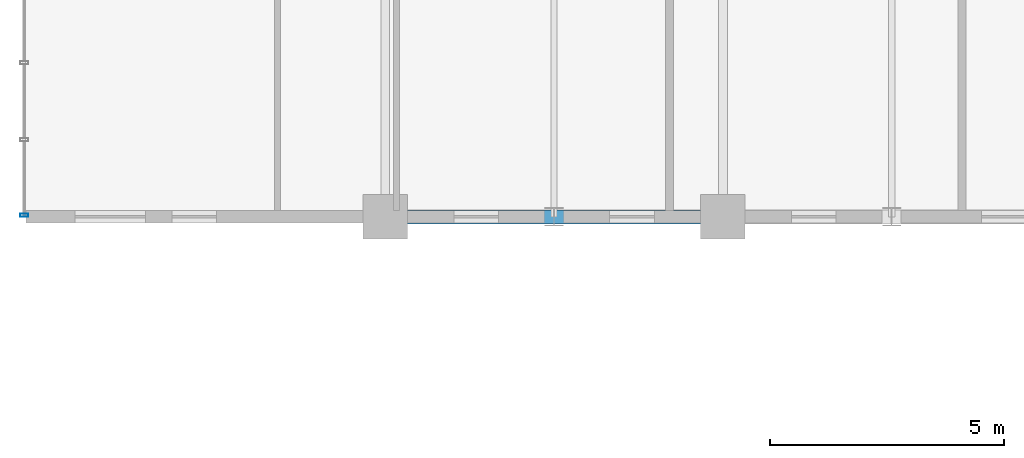
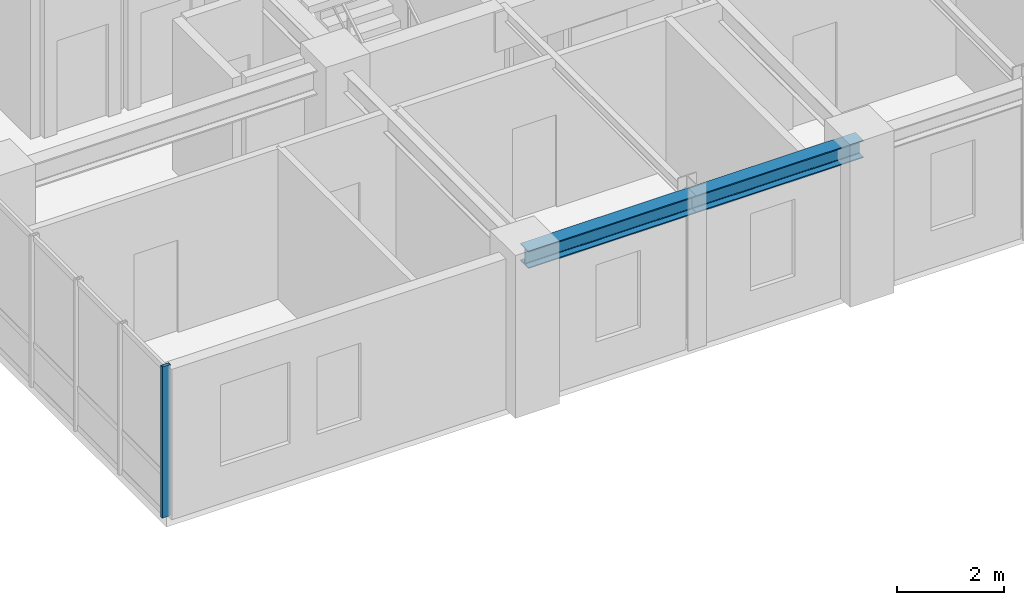
# One storey, part 4 of 20: 2 beams, 1 member, 1 element without a shape of its own.
"""IFC4 building model written with IfcOpenShell, lengths in metres."""

from ifc_helpers import new_model, si_unit, direction, frame, origin, origin_2d, place, context, subcontext, project, spatial, hollow_rectangle, i_section, extrude, source, transform, mapped, material, layer, layer_set, material_profile, profile_set, type_object, element, aggregate, save


model = new_model("IFC4")

# Units and contexts
model_context = context("Model", 3, precision=1e-05, world=origin(), true_north=direction((0.0, 1.0)))
body_context = subcontext(model_context, "Body", "Model", "MODEL_VIEW")
ifc_project = project(units=[si_unit("LENGTHUNIT", "METRE"), si_unit("AREAUNIT", "SQUARE_METRE"), si_unit("VOLUMEUNIT", "CUBIC_METRE"), si_unit("PLANEANGLEUNIT", "RADIAN"), si_unit("MASSUNIT", "GRAM", prefix="KILO")], contexts=[model_context])

# Site, building, storey
site_placement = place(None, origin())
site = spatial("IfcSite", under=ifc_project, at=site_placement, CompositionType="ELEMENT")
building_placement = place(site_placement, origin())
building = spatial("IfcBuilding", under=site, at=building_placement, Name="Kaliganga Portal Commons", CompositionType="ELEMENT")
storey_placement = place(building_placement, frame((0.0, 0.0, 231.39990234375)))
storey = spatial("IfcBuildingStorey", under=building, at=storey_placement, Name="L59", CompositionType="ELEMENT", Elevation=231.39990234375)

# Beams
ifc_material_1 = material(Name="Structural steel S355J2", Category="steel")
ifc_material_profile_1 = material_profile(ifc_material_1, i_section(OverallWidth=0.300048828125, OverallDepth=0.39990234375, WebThickness=0.013427734375, FlangeThickness=0.02392578125, FilletRadius=0.027099609375, at=origin_2d()), Name="HE 400 B")
ifc_profile_set_1 = profile_set([ifc_material_profile_1], Name="Structural steel S355J2 wide-flange")
beam_type = type_object("IfcBeamType", Name="BM-SPAND-400", PredefinedType="SPANDREL", material=ifc_profile_set_1)
shared_shape_1 = source(origin(), body_context, "Body", "SweptSolid", [
    extrude(i_section(OverallWidth=0.300048828125, OverallDepth=0.39990234375, WebThickness=0.013427734375, FlangeThickness=0.02392578125, FilletRadius=0.027099609375, at=origin_2d()), origin(), (0.0, 0.0, 1.0), 3.60009765625),
])
for number, where, z_axis, x_axis, name in (
    (1, (14.39990234375, 21.60009765625, 3.239990234375), (1.0, 0.0, 0.0), (0.0, 1.0, 0.0), "BM SP L59 AS 1"),
    (2, (18.0, 21.60009765625, 3.239990234375), (1.0, 0.0, 0.0), (0.0, 1.0, 0.0), "BM SP L59 AS 2"),
):
    element("IfcBeam", number, at=place(storey_placement, frame(where, z_axis=z_axis, x_axis=x_axis)), inside=storey, type_object=beam_type, Name=name, PredefinedType="SPANDREL", context=body_context, shape_type="MappedRepresentation", body=[
        mapped(shared_shape_1, transform((0.0, 0.0, 0.0), x_axis=(1.0, 0.0, 0.0), y_axis=(0.0, 1.0, 0.0), z_axis=(0.0, 0.0, 1.0), scale=1.0)),
    ])

# Curtain wall, member
ifc_material_2 = material(Name="Anodized Aluminium and Laminated Low-E Glass", Category="aluminium")
ifc_layer = layer(ifc_material_2, 0.199951171875)
ifc_layer_set = layer_set([ifc_layer], Name="Anodized Aluminium and Laminated Low-E Glass")
curtain_wall_type = type_object("IfcCurtainWallType", Name="CW-SYS-02", PredefinedType="NOTDEFINED", material=ifc_layer_set)
curtain_wall_placement = place(storey_placement, origin())
curtain_wall = element("IfcCurtainWall", 3, at=curtain_wall_placement, inside=storey, type_object=curtain_wall_type, Name="CW 02 L59 P1E09S3", PredefinedType="NOTDEFINED")
ifc_material_3 = material(Name="Dark Bronze Anodized Aluminium", Category="aluminium")
ifc_material_profile_2 = material_profile(ifc_material_3, hollow_rectangle(XDim=0.06494140625, YDim=0.179931640625, WallThickness=0.00390625, at=origin_2d()), Name="ALU MULL 65x180x4")
ifc_profile_set_2 = profile_set([ifc_material_profile_2], Name="Dark Bronze Anodized Aluminium")
member_type = type_object("IfcMemberType", Name="CW-MUL-180", PredefinedType="MULLION", material=ifc_profile_set_2)
shared_shape_2 = source(origin(), body_context, "Body", "SweptSolid", [
    extrude(hollow_rectangle(XDim=0.06494140625, YDim=0.179931640625, WallThickness=0.00390625, at=origin_2d()), origin(), (0.0, 0.0, 1.0), 3.440185546875),
])
member_placement = place(storey_placement, frame((6.699951171875, 21.635009765625, 0.0), z_axis=(0.0, 0.0, 1.0), x_axis=(0.0, -1.0, 0.0)))
member = element("IfcMember", 4, at=member_placement, type_object=member_type, Name="CW:02:L59:P1E09S3 Mullion 04", PredefinedType="MULLION", context=body_context, shape_type="MappedRepresentation", body=[
    mapped(shared_shape_2, transform((0.0, 0.0, 0.0), x_axis=(1.0, 0.0, 0.0), y_axis=(0.0, 1.0, 0.0), z_axis=(0.0, 0.0, 1.0), scale=1.0)),
])
aggregate(curtain_wall, [member])

save(model, "model.ifc")
